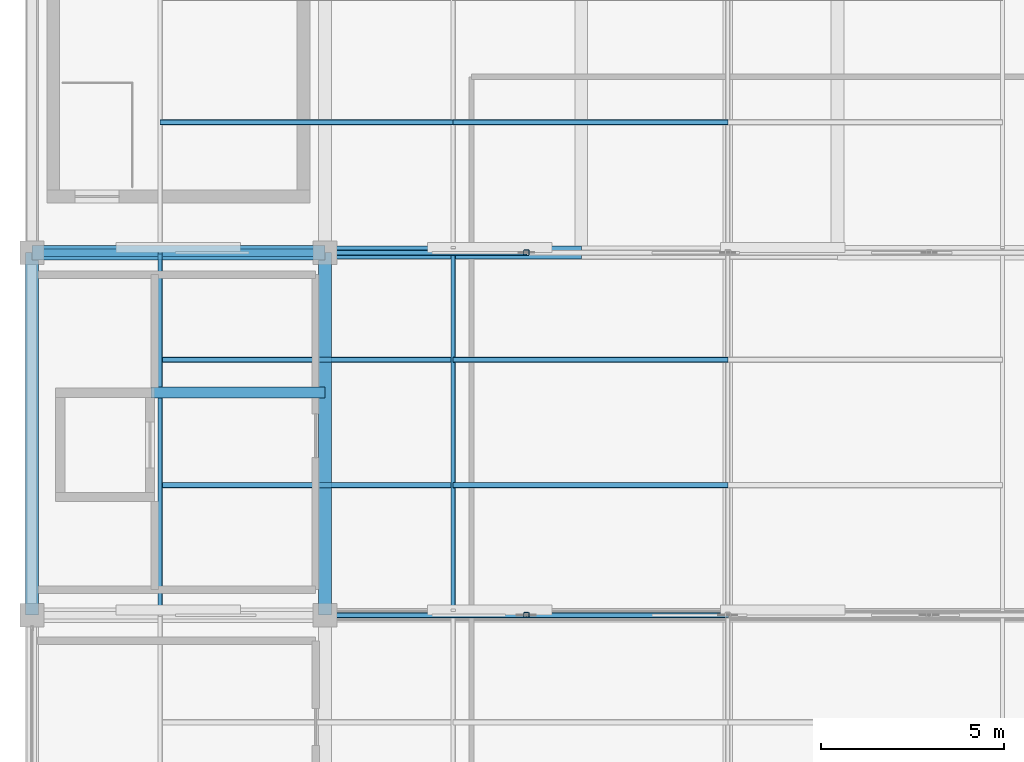
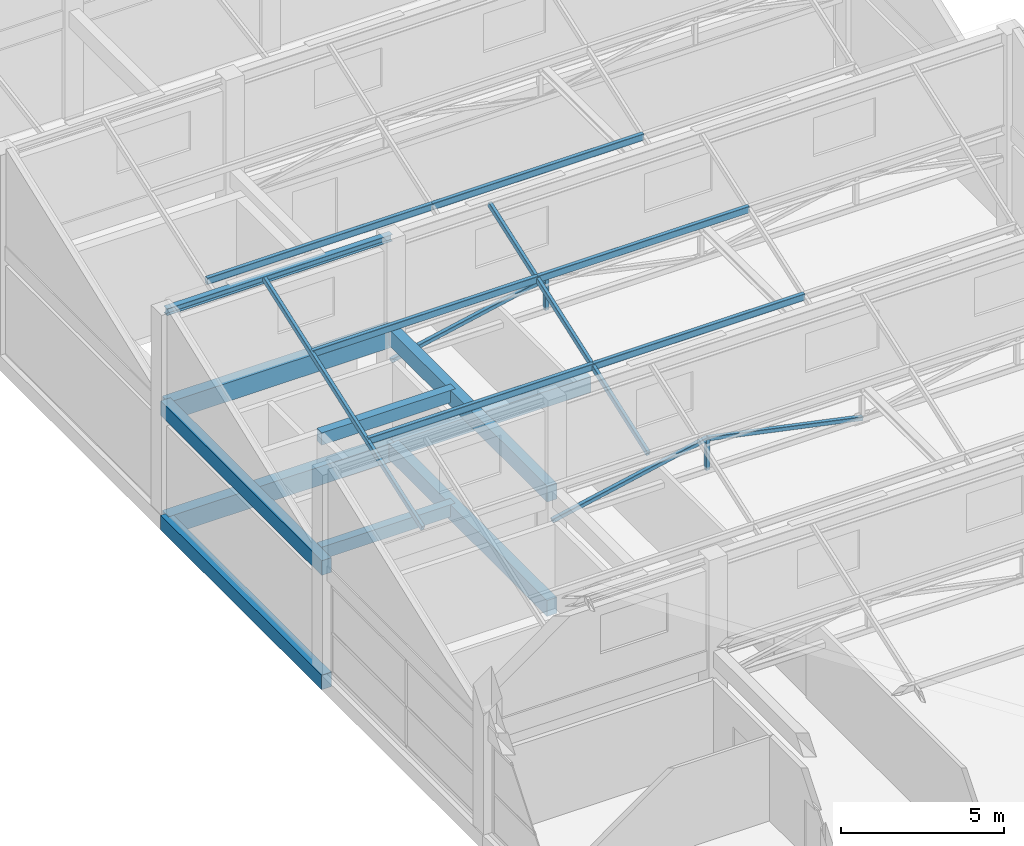
# One storey, part 18 of 35: 13 members, 10 beams.
"""IFC4 building model written with IfcOpenShell, lengths in metres."""

from ifc_helpers import new_model, si_unit, direction, frame, origin, origin_2d, place, context, subcontext, project, spatial, rectangle, hollow_rectangle, i_section, extrude, material, material_profile, profile_set, type_object, element, save


model = new_model("IFC4")

# Units and contexts
model_context = context("Model", 3, precision=1e-05, world=origin(), true_north=direction((0.0, 1.0)))
body_context = subcontext(model_context, "Body", "Model", "MODEL_VIEW")
ifc_project = project(units=[si_unit("LENGTHUNIT", "METRE"), si_unit("AREAUNIT", "SQUARE_METRE"), si_unit("VOLUMEUNIT", "CUBIC_METRE"), si_unit("PLANEANGLEUNIT", "RADIAN"), si_unit("MASSUNIT", "GRAM", prefix="KILO")], contexts=[model_context])

# Site, building, storey
site_placement = place(None, origin())
site = spatial("IfcSite", under=ifc_project, at=site_placement, CompositionType="ELEMENT")
building_placement = place(site_placement, origin())
building = spatial("IfcBuilding", under=site, at=building_placement, Name="Sillaruma Civic Art Gallery", CompositionType="ELEMENT")
storey_placement = place(building_placement, frame((0.0, 0.0, 74.4599609375)))
storey = spatial("IfcBuildingStorey", under=building, at=storey_placement, Name="L15", CompositionType="ELEMENT", Elevation=74.4599609375)

# Beams
ifc_material_1 = material(Name="Concrete H35 (35 MPa)", Category="concrete")
ifc_material_profile_1 = material_profile(ifc_material_1, rectangle(XDim=0.35009765625, YDim=0.60009765625, at=origin_2d()), Name="RCB350x600")
ifc_profile_set_1 = profile_set([ifc_material_profile_1], Name="Concrete H35 (35 MPa)")
beam_type_1 = type_object("IfcBeamType", Name="BM-BEAM-RCB350x600", PredefinedType="BEAM", material=ifc_profile_set_1)
beam_1_placement = place(storey_placement, frame((70.0, 79.199951171875, -0.550048828125), z_axis=(1.0, 0.0, 0.0), x_axis=(0.0, 1.0, 0.0)))
element("IfcBeam", 1, at=beam_1_placement, inside=storey, type_object=beam_type_1, Name="Beam BM-06 (L14:9:G-H)", PredefinedType="BEAM", context=body_context, shape_type="SweptSolid", body=[
    extrude(rectangle(XDim=0.35009765625, YDim=0.60009765625, at=origin_2d()), origin(), (0.0, 0.0, 1.0), 7.0),
])
beam_2_placement = place(storey_placement, frame((70.0, 69.300048828125, -0.550048828125), z_axis=(0.0, 1.0, 0.0), x_axis=(-1.0, 0.0, 0.0)))
element("IfcBeam", 2, at=beam_2_placement, inside=storey, type_object=beam_type_1, Name="Beam BM-06 (L14:G:8-9)", PredefinedType="BEAM", context=body_context, shape_type="SweptSolid", body=[
    extrude(rectangle(XDim=0.35009765625, YDim=0.60009765625, at=origin_2d()), origin(), (0.0, 0.0, 1.0), 9.89990234375),
])
ifc_material_profile_2 = material_profile(ifc_material_1, rectangle(XDim=0.39990234375, YDim=0.699951171875, at=origin_2d()), Name="RCB400x700")
ifc_profile_set_2 = profile_set([ifc_material_profile_2], Name="Concrete H35 (35 MPa)")
beam_type_2 = type_object("IfcBeamType", Name="BM-BEAM-RCB400x700", PredefinedType="BEAM", material=ifc_profile_set_2)
beam_3_placement = place(storey_placement, frame((62.0, 79.199951171875, -0.599853515625), z_axis=(1.0, 0.0, 0.0), x_axis=(0.0, 1.0, 0.0)))
element("IfcBeam", 3, at=beam_3_placement, inside=storey, type_object=beam_type_2, Name="Beam BM-04 (L14:9:F-G)", PredefinedType="BEAM", context=body_context, shape_type="SweptSolid", body=[
    extrude(rectangle(XDim=0.39990234375, YDim=0.699951171875, at=origin_2d()), origin(), (0.0, 0.0, 1.0), 8.0),
])
ifc_material_profile_3 = material_profile(ifc_material_1, rectangle(XDim=0.300048828125, YDim=0.4599609375, at=origin_2d()), Name="RCB300x460")
ifc_profile_set_3 = profile_set([ifc_material_profile_3], Name="Concrete H35 (35 MPa)")
beam_type_3 = type_object("IfcBeamType", Name="BM-LINTEL-RCB300x460", PredefinedType="LINTEL", material=ifc_profile_set_3)
beam_4_placement = place(storey_placement, frame((65.25, 75.3798828125, -0.47998046875), z_axis=(1.0, 0.0, 0.0), x_axis=(0.0, 1.0, 0.0)))
element("IfcBeam", 4, at=beam_4_placement, inside=storey, type_object=beam_type_3, Name="Core Portal Coupling Lintel BL-01 (L14:FFL)", PredefinedType="LINTEL", context=body_context, shape_type="SweptSolid", body=[
    extrude(rectangle(XDim=0.300048828125, YDim=0.4599609375, at=origin_2d()), origin(), (0.0, 0.0, 1.0), 4.75),
])
ifc_material_profile_4 = material_profile(ifc_material_1, rectangle(XDim=0.300048828125, YDim=0.4599609375, at=origin_2d()), Name="RCB300x460")
ifc_profile_set_4 = profile_set([ifc_material_profile_4], Name="Concrete H35 (35 MPa)")
beam_type_4 = type_object("IfcBeamType", Name="BM-RLINTEL-RCB300x460", PredefinedType="LINTEL", material=ifc_profile_set_4)
beam_5_placement = place(storey_placement, frame((65.25, 75.3798828125, 3.81005859375), z_axis=(1.0, 0.0, 0.0), x_axis=(0.0, 1.0, 0.0)))
element("IfcBeam", 5, at=beam_5_placement, inside=storey, type_object=beam_type_4, Name="Core Portal Coupling Lintel BLR-01 (L15:FFL)", PredefinedType="LINTEL", context=body_context, shape_type="SweptSolid", body=[
    extrude(rectangle(XDim=0.300048828125, YDim=0.4599609375, at=origin_2d()), origin(), (0.0, 0.0, 1.0), 4.75),
])
ifc_material_profile_5 = material_profile(ifc_material_1, rectangle(XDim=0.35009765625, YDim=0.550048828125, at=origin_2d()), Name="RCB350x550")
ifc_profile_set_5 = profile_set([ifc_material_profile_5], Name="Concrete H35 (35 MPa)")
beam_type_5 = type_object("IfcBeamType", Name="BM-ROF-RCB350x550", PredefinedType="SPANDREL", material=ifc_profile_set_5)
beam_6_placement = place(storey_placement, frame((62.0, 69.300048828125, 3.76513671875), z_axis=(0.0, 1.0, 0.0), x_axis=(-1.0, 0.0, 0.0)))
element("IfcBeam", 6, at=beam_6_placement, inside=storey, type_object=beam_type_5, Name="Beam BSR-04 (L15:F:8-9)", PredefinedType="SPANDREL", context=body_context, shape_type="SweptSolid", body=[
    extrude(rectangle(XDim=0.35009765625, YDim=0.550048828125, at=origin_2d()), origin(), (0.0, 0.0, 1.0), 9.89990234375),
])
ifc_material_profile_6 = material_profile(ifc_material_1, rectangle(XDim=0.35009765625, YDim=0.60009765625, at=origin_2d()), Name="RCB350x600")
ifc_profile_set_6 = profile_set([ifc_material_profile_6], Name="Concrete H35 (35 MPa)")
beam_type_6 = type_object("IfcBeamType", Name="BM-ROF-RCB350x600", PredefinedType="BEAM", material=ifc_profile_set_6)
beam_7_placement = place(storey_placement, frame((70.0, 69.300048828125, 3.739990234375), z_axis=(0.0, 1.0, 0.0), x_axis=(-1.0, 0.0, 0.0)))
element("IfcBeam", 7, at=beam_7_placement, inside=storey, type_object=beam_type_6, Name="Beam BRF-06 (L15:G:8-9)", PredefinedType="BEAM", context=body_context, shape_type="SweptSolid", body=[
    extrude(rectangle(XDim=0.35009765625, YDim=0.60009765625, at=origin_2d()), origin(), (0.0, 0.0, 1.0), 9.89990234375),
])
ifc_material_profile_7 = material_profile(ifc_material_1, rectangle(XDim=0.39990234375, YDim=0.699951171875, at=origin_2d()), Name="RCB400x700")
ifc_profile_set_7 = profile_set([ifc_material_profile_7], Name="Concrete H35 (35 MPa)")
beam_type_7 = type_object("IfcBeamType", Name="BM-ROF-RCB400x700", PredefinedType="BEAM", material=ifc_profile_set_7)
beam_8_placement = place(storey_placement, frame((62.0, 79.199951171875, 3.68994140625), z_axis=(1.0, 0.0, 0.0), x_axis=(0.0, 1.0, 0.0)))
element("IfcBeam", 8, at=beam_8_placement, inside=storey, type_object=beam_type_7, Name="Beam BRF-04 (L15:9:F-G)", PredefinedType="BEAM", context=body_context, shape_type="SweptSolid", body=[
    extrude(rectangle(XDim=0.39990234375, YDim=0.699951171875, at=origin_2d()), origin(), (0.0, 0.0, 1.0), 8.0),
])
ifc_material_2 = material(Name="Structural Steel ASTM A992 Gr.50", Category="steel")
ifc_material_profile_8 = material_profile(ifc_material_2, i_section(OverallWidth=0.2041015625, OverallDepth=0.257080078125, WebThickness=0.0087890625, FlangeThickness=0.015625, FilletRadius=0.012939453125, at=origin_2d()), Name="W250x67")
ifc_profile_set_8 = profile_set([ifc_material_profile_8], Name="Structural Steel ASTM A992 Gr.50")
beam_type_8 = type_object("IfcBeamType", Name="BM-SAW-W250x67", PredefinedType="BEAM", material=ifc_profile_set_8)
beam_9_placement = place(storey_placement, frame((62.0, 79.199951171875, 7.360107421875), z_axis=(1.0, 0.0, 0.0), x_axis=(0.0, 1.0, 0.0)))
element("IfcBeam", 9, at=beam_9_placement, inside=storey, type_object=beam_type_8, Name="Sawtooth Ridge Steel Girder (4-FG)", PredefinedType="BEAM", context=body_context, shape_type="SweptSolid", body=[
    extrude(i_section(OverallWidth=0.2041015625, OverallDepth=0.257080078125, WebThickness=0.0087890625, FlangeThickness=0.015625, FilletRadius=0.012939453125, at=origin_2d()), origin(), (0.0, 0.0, 1.0), 8.0),
])
ifc_material_profile_9 = material_profile(ifc_material_1, rectangle(XDim=0.35009765625, YDim=0.550048828125, at=origin_2d()), Name="RCB350x550")
ifc_profile_set_9 = profile_set([ifc_material_profile_9], Name="Concrete H35 (35 MPa)")
beam_type_9 = type_object("IfcBeamType", Name="BM-SPANDREL-RCB350x550", PredefinedType="SPANDREL", material=ifc_profile_set_9)
beam_10_placement = place(storey_placement, frame((62.0, 69.300048828125, -0.52490234375), z_axis=(0.0, 1.0, 0.0), x_axis=(-1.0, 0.0, 0.0)))
element("IfcBeam", 10, at=beam_10_placement, inside=storey, type_object=beam_type_9, Name="Beam BS-04 (L14:F:8-9)", PredefinedType="SPANDREL", context=body_context, shape_type="SweptSolid", body=[
    extrude(rectangle(XDim=0.35009765625, YDim=0.550048828125, at=origin_2d()), origin(), (0.0, 0.0, 1.0), 9.89990234375),
])

# Members
ifc_material_3 = material(Name="Structural Steel ASTM A500 Gr.C", Category="steel")
ifc_material_profile_10 = material_profile(ifc_material_3, hollow_rectangle(XDim=0.14990234375, YDim=0.14990234375, WallThickness=0.010009765625, InnerFilletRadius=0.010009765625, OuterFilletRadius=0.02001953125, at=origin_2d()), Name="HSS150x150x10")
ifc_profile_set_10 = profile_set([ifc_material_profile_10], Name="Structural Steel ASTM A500 Gr.C")
member_type_1 = type_object("IfcMemberType", Name="MEM-BRACE-HSS150x150x10", PredefinedType="BRACE", material=ifc_profile_set_10)
for number, where, z_axis, x_axis, name in (
    (11, (70.0, 69.300048828125, 2.699951171875), (0.978538722809, 0.0, 0.206063019398), (0.0, 1.0, 0.0), "Warren Truss Diagonal TR-L15-4-D1"),
    (12, (75.5, 69.300048828125, 3.858154296875), (0.978538722809, 0.0, -0.206063019398), (0.0, 1.0, 0.0), "Warren Truss Diagonal TR-L15-4-D2"),
    (13, (70.0, 79.199951171875, 2.699951171875), (0.978538722809, 0.0, 0.206063019398), (0.0, 1.0, 0.0), "Warren Truss Diagonal TR-L15-5-D1"),
):
    element("IfcMember", number, at=place(storey_placement, frame(where, z_axis=z_axis, x_axis=x_axis)), inside=storey, type_object=member_type_1, Name=name, PredefinedType="BRACE", context=body_context, shape_type="SweptSolid", body=[
        extrude(hollow_rectangle(XDim=0.14990234375, YDim=0.14990234375, WallThickness=0.010009765625, InnerFilletRadius=0.010009765625, OuterFilletRadius=0.02001953125, at=origin_2d()), origin(), (0.0, 0.0, 1.0), 5.62060546875),
    ])
ifc_material_profile_11 = material_profile(ifc_material_3, hollow_rectangle(XDim=0.14990234375, YDim=0.14990234375, WallThickness=0.010009765625, InnerFilletRadius=0.010009765625, OuterFilletRadius=0.02001953125, at=origin_2d()), Name="HSS150x150x10")
ifc_profile_set_11 = profile_set([ifc_material_profile_11], Name="Structural Steel ASTM A500 Gr.C")
member_type_2 = type_object("IfcMemberType", Name="MEM-POST-HSS150x150x10", PredefinedType="POST", material=ifc_profile_set_11)
for number, where, z_axis, x_axis, name in (
    (14, (75.5, 69.300048828125, 2.699951171875), (0.0, 0.0, 1.0), (1.0, 0.0, 0.0), "Warren Truss Vertical Post TR-L15-4-V1"),
    (15, (75.5, 79.199951171875, 2.699951171875), (0.0, 0.0, 1.0), (1.0, 0.0, 0.0), "Warren Truss Vertical Post TR-L15-5-V1"),
):
    element("IfcMember", number, at=place(storey_placement, frame(where, z_axis=z_axis, x_axis=x_axis)), inside=storey, type_object=member_type_2, Name=name, PredefinedType="POST", context=body_context, shape_type="SweptSolid", body=[
        extrude(hollow_rectangle(XDim=0.14990234375, YDim=0.14990234375, WallThickness=0.010009765625, InnerFilletRadius=0.010009765625, OuterFilletRadius=0.02001953125, at=origin_2d()), origin(), (0.0, 0.0, 1.0), 1.158203125),
    ])
ifc_material_profile_12 = material_profile(ifc_material_3, hollow_rectangle(XDim=0.14990234375, YDim=0.25, WallThickness=0.010009765625, InnerFilletRadius=0.010009765625, OuterFilletRadius=0.02001953125, at=origin_2d()), Name="HSS250x150x10")
ifc_profile_set_12 = profile_set([ifc_material_profile_12], Name="Structural Steel ASTM A500 Gr.C")
member_type_3 = type_object("IfcMemberType", Name="MEM-PUR-HSS250", PredefinedType="PURLIN", material=ifc_profile_set_12)
member_1_placement = place(storey_placement, frame((65.5, 72.85595703125, 5.111083984375), z_axis=(1.0, 0.0, 0.0), x_axis=(0.0, 1.0, 0.0)))
element("IfcMember", 16, at=member_1_placement, inside=storey, type_object=member_type_3, Name="Sawtooth Roof Steel Purlin (4.1.1)", PredefinedType="PURLIN", context=body_context, shape_type="SweptSolid", body=[
    extrude(hollow_rectangle(XDim=0.14990234375, YDim=0.25, WallThickness=0.010009765625, InnerFilletRadius=0.010009765625, OuterFilletRadius=0.02001953125, at=origin_2d()), origin(), (0.0, 0.0, 1.0), 8.0),
])
member_2_placement = place(storey_placement, frame((73.5, 72.85595703125, 5.111083984375), z_axis=(1.0, 0.0, 0.0), x_axis=(0.0, 1.0, 0.0)))
element("IfcMember", 17, at=member_2_placement, inside=storey, type_object=member_type_3, Name="Sawtooth Roof Steel Purlin (4.1.2)", PredefinedType="PURLIN", context=body_context, shape_type="SweptSolid", body=[
    extrude(hollow_rectangle(XDim=0.14990234375, YDim=0.25, WallThickness=0.010009765625, InnerFilletRadius=0.010009765625, OuterFilletRadius=0.02001953125, at=origin_2d()), origin(), (0.0, 0.0, 1.0), 7.5),
])
member_3_placement = place(storey_placement, frame((65.5, 76.27197265625, 6.322021484375), z_axis=(1.0, 0.0, 0.0), x_axis=(0.0, 1.0, 0.0)))
element("IfcMember", 18, at=member_3_placement, inside=storey, type_object=member_type_3, Name="Sawtooth Roof Steel Purlin (4.2.1)", PredefinedType="PURLIN", context=body_context, shape_type="SweptSolid", body=[
    extrude(hollow_rectangle(XDim=0.14990234375, YDim=0.25, WallThickness=0.010009765625, InnerFilletRadius=0.010009765625, OuterFilletRadius=0.02001953125, at=origin_2d()), origin(), (0.0, 0.0, 1.0), 8.0),
])
member_4_placement = place(storey_placement, frame((73.5, 76.27197265625, 6.322021484375), z_axis=(1.0, 0.0, 0.0), x_axis=(0.0, 1.0, 0.0)))
element("IfcMember", 19, at=member_4_placement, inside=storey, type_object=member_type_3, Name="Sawtooth Roof Steel Purlin (4.2.2)", PredefinedType="PURLIN", context=body_context, shape_type="SweptSolid", body=[
    extrude(hollow_rectangle(XDim=0.14990234375, YDim=0.25, WallThickness=0.010009765625, InnerFilletRadius=0.010009765625, OuterFilletRadius=0.02001953125, at=origin_2d()), origin(), (0.0, 0.0, 1.0), 7.5),
])
member_5_placement = place(storey_placement, frame((65.5, 82.756103515625, 5.111083984375), z_axis=(1.0, 0.0, 0.0), x_axis=(0.0, 1.0, 0.0)))
element("IfcMember", 20, at=member_5_placement, inside=storey, type_object=member_type_3, Name="Sawtooth Roof Steel Purlin (5.1.1)", PredefinedType="PURLIN", context=body_context, shape_type="SweptSolid", body=[
    extrude(hollow_rectangle(XDim=0.14990234375, YDim=0.25, WallThickness=0.010009765625, InnerFilletRadius=0.010009765625, OuterFilletRadius=0.02001953125, at=origin_2d()), origin(), (0.0, 0.0, 1.0), 8.0),
])
member_6_placement = place(storey_placement, frame((73.5, 82.756103515625, 5.111083984375), z_axis=(1.0, 0.0, 0.0), x_axis=(0.0, 1.0, 0.0)))
element("IfcMember", 21, at=member_6_placement, inside=storey, type_object=member_type_3, Name="Sawtooth Roof Steel Purlin (5.1.2)", PredefinedType="PURLIN", context=body_context, shape_type="SweptSolid", body=[
    extrude(hollow_rectangle(XDim=0.14990234375, YDim=0.25, WallThickness=0.010009765625, InnerFilletRadius=0.010009765625, OuterFilletRadius=0.02001953125, at=origin_2d()), origin(), (0.0, 0.0, 1.0), 7.5),
])
ifc_material_profile_13 = material_profile(ifc_material_3, hollow_rectangle(XDim=0.1201171875, YDim=0.199951171875, WallThickness=0.008056640625, InnerFilletRadius=0.008056640625, OuterFilletRadius=0.01611328125, at=origin_2d()), Name="HSS200x120x8")
ifc_profile_set_13 = profile_set([ifc_material_profile_13], Name="Structural Steel ASTM A500 Gr.C")
member_type_4 = type_object("IfcMemberType", Name="MEM-RAF-HSS200", PredefinedType="PURLIN", material=ifc_profile_set_13)
for number, where, z_axis, x_axis, name in (
    (22, (65.5, 69.43994140625, 3.900146484375), (0.0, 0.942527174953, 0.33412950255), (-1.0, 0.0, 0.0), "Sawtooth Sloped Steel Rafter (4-FW)"),
    (23, (73.5, 69.43994140625, 3.900146484375), (0.0, 0.942527174953, 0.33412950255), (-1.0, 0.0, 0.0), "Sawtooth Sloped Steel Rafter (4-W)"),
):
    element("IfcMember", number, at=place(storey_placement, frame(where, z_axis=z_axis, x_axis=x_axis)), inside=storey, type_object=member_type_4, Name=name, PredefinedType="PURLIN", context=body_context, shape_type="SweptSolid", body=[
        extrude(hollow_rectangle(XDim=0.1201171875, YDim=0.199951171875, WallThickness=0.008056640625, InnerFilletRadius=0.008056640625, OuterFilletRadius=0.01611328125, at=origin_2d()), origin(), (0.0, 0.0, 1.0), 10.355224609375),
    ])

save(model, "model.ifc")
